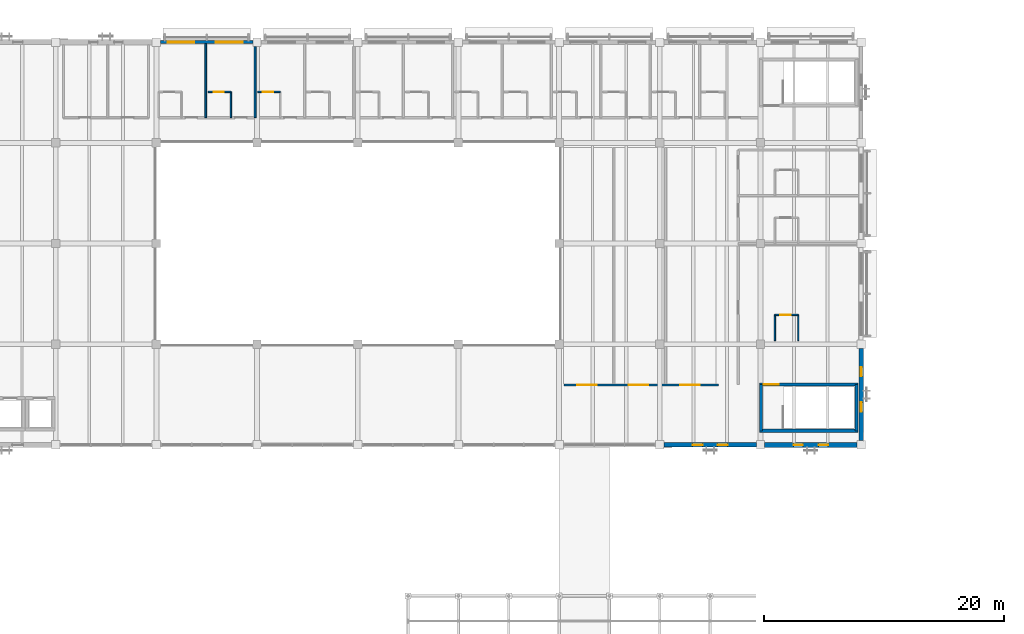
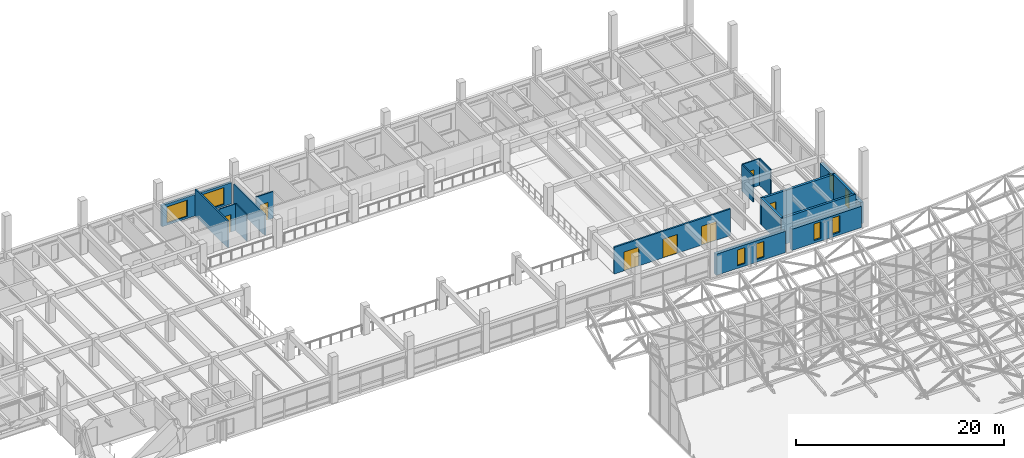
# One storey, part 93 of 123: 17 walls, 8 windows, 7 doors, 15 openings.
"""IFC4 building model written with IfcOpenShell, lengths in metres."""

from ifc_helpers import new_model, si_unit, direction, frame, frame_2d, origin, place, context, subcontext, project, spatial, rectangle, extrude, material, layer, layer_set, type_object, element, fill, save


model = new_model("IFC4")

# Units and contexts
model_context = context("Model", 3, precision=1e-05, world=origin(), true_north=direction((0.0, 1.0)))
body_context = subcontext(model_context, "Body", "Model", "MODEL_VIEW")
ifc_project = project(units=[si_unit("LENGTHUNIT", "METRE"), si_unit("AREAUNIT", "SQUARE_METRE"), si_unit("VOLUMEUNIT", "CUBIC_METRE"), si_unit("PLANEANGLEUNIT", "RADIAN"), si_unit("MASSUNIT", "GRAM", prefix="KILO")], contexts=[model_context])

# Site, building, storey
site_placement = place(None, origin())
site = spatial("IfcSite", under=ifc_project, at=site_placement, CompositionType="ELEMENT")
building_placement = place(site_placement, origin())
building = spatial("IfcBuilding", under=site, at=building_placement, Name="Cumbredor Promenade Congress Hotel", CompositionType="ELEMENT")
storey_placement = place(building_placement, frame((0.0, 0.0, 11.760009765625)))
storey = spatial("IfcBuildingStorey", under=building, at=storey_placement, Name="L03", CompositionType="ELEMENT", Elevation=11.760009765625)

# Wall, opening, door
ifc_material_1 = material(Name="Moisture-resistant gypsum board on steel studs", Category="steel")
ifc_layer_1 = layer(ifc_material_1, 0.114990234375, Name="Moisture-resistant gypsum board on steel studs", Category="steel")
ifc_layer_set_1 = layer_set([ifc_layer_1], Name="Moisture-resistant gypsum board on steel studs")
wall_type_1 = type_object("IfcWallType", Name="WL-BATH-115", PredefinedType="PARTITIONING", material=ifc_layer_set_1)
wall_1_placement = place(storey_placement, frame((121.919921875, 113.449951171875, 0.0), z_axis=(0.0, 0.0, 1.0), x_axis=(1.0, 0.0, 0.0)))
wall_1 = element("IfcWall", 1, at=wall_1_placement, inside=storey, type_object=wall_type_1, Name="L03 Interior Partition W-L03-FBH-F0302", PredefinedType="PARTITIONING", context=body_context, shape_type="SweptSolid", body=[
    extrude(rectangle(XDim=1.900146484375, YDim=0.114990234375, at=frame_2d((0.9501953125, 0.0))), origin(), (0.0, 0.0, 1.0), 3.125),
])
opening_1_placement = place(wall_1_placement, frame((0.449951171875, 0.0, 0.0)))
opening_1 = element("IfcOpeningElement", 2, at=opening_1_placement, cuts=wall_1, Name="Opening ID-01", PredefinedType="OPENING", context=body_context, shape_type="SweptSolid", body=[
    extrude(rectangle(XDim=0.860107421875, YDim=2.050048828125, at=frame_2d((0.43017578125, 1.02490234375))), frame((0.0, 0.0673828125, 0.0), z_axis=(0.0, -1.0, 0.0), x_axis=(1.0, 0.0, 0.0)), (0.0, 0.0, 1.0), 0.135009765625),
])
ifc_material_2 = material(Name="Kiln-dried tropical hardwood", Category="wood")
door_type_1 = type_object("IfcDoorType", Name="DR-BATH-860", OperationType="NOTDEFINED", PredefinedType="DOOR", material=ifc_material_2)
door_1_placement = place(opening_1_placement, origin())
door_1 = element("IfcDoor", 3, at=door_1_placement, inside=storey, type_object=door_type_1, Name="L03 Interior Door W-L03-FBH-F0302-01", OperationType="SINGLE_SWING_RIGHT", OverallHeight=2.050048828125, OverallWidth=0.860107421875, PredefinedType="DOOR", context=body_context, shape_type="SweptSolid", body=[
    extrude(rectangle(XDim=0.860107421875, YDim=2.050048828125, at=frame_2d((0.43017578125, 1.02490234375))), frame((0.0, 0.02490234375, 0.0), z_axis=(0.0, -1.0, 0.0), x_axis=(1.0, 0.0, 0.0)), (0.0, 0.0, 1.0), 0.050048828125),
])
fill(opening_1, door_1)

# Wall
wall_2_placement = place(storey_placement, frame((123.820068359375, 111.300048828125, 0.0), z_axis=(0.0, 0.0, 1.0), x_axis=(0.0, 1.0, 0.0)))
element("IfcWall", 4, at=wall_2_placement, inside=storey, type_object=wall_type_1, Name="L03 Interior Partition W-L03-FBV-F0302", PredefinedType="PARTITIONING", context=body_context, shape_type="SweptSolid", body=[
    extrude(rectangle(XDim=2.14990234375, YDim=0.114990234375, at=frame_2d((1.074951171875, 0.0))), origin(), (0.0, 0.0, 1.0), 3.125),
])

# Wall, opening, door
wall_3_placement = place(storey_placement, frame((126.0400390625, 113.449951171875, 0.0), z_axis=(0.0, 0.0, 1.0), x_axis=(1.0, 0.0, 0.0)))
wall_3 = element("IfcWall", 5, at=wall_3_placement, inside=storey, type_object=wall_type_1, Name="L03 Interior Partition W-L03-FBH-F0303", PredefinedType="PARTITIONING", context=body_context, shape_type="SweptSolid", body=[
    extrude(rectangle(XDim=1.89990234375, YDim=0.114990234375, at=frame_2d((0.949951171875, 0.0))), origin(), (0.0, 0.0, 1.0), 3.125),
])
opening_2_placement = place(wall_3_placement, frame((0.449951171875, 0.0, 0.0)))
opening_2 = element("IfcOpeningElement", 6, at=opening_2_placement, cuts=wall_3, Name="Opening ID-01", PredefinedType="OPENING", context=body_context, shape_type="SweptSolid", body=[
    extrude(rectangle(XDim=0.860107421875, YDim=2.050048828125, at=frame_2d((0.43017578125, 1.02490234375))), frame((0.0, 0.0673828125, 0.0), z_axis=(0.0, -1.0, 0.0), x_axis=(1.0, 0.0, 0.0)), (0.0, 0.0, 1.0), 0.135009765625),
])
door_2_placement = place(opening_2_placement, origin())
door_2 = element("IfcDoor", 7, at=door_2_placement, inside=storey, type_object=door_type_1, Name="L03 Interior Door W-L03-FBH-F0303-01", OperationType="SINGLE_SWING_LEFT", OverallHeight=2.050048828125, OverallWidth=0.860107421875, PredefinedType="DOOR", context=body_context, shape_type="SweptSolid", body=[
    extrude(rectangle(XDim=0.860107421875, YDim=2.050048828125, at=frame_2d((0.43017578125, 1.02490234375))), frame((0.0, 0.02490234375, 0.0), z_axis=(0.0, -1.0, 0.0), x_axis=(1.0, 0.0, 0.0)), (0.0, 0.0, 1.0), 0.050048828125),
])
fill(opening_2, door_2)

wall_4_placement = place(storey_placement, frame((169.199951171875, 94.85009765625, 0.0), z_axis=(0.0, 0.0, 1.0), x_axis=(1.0, 0.0, 0.0)))
wall_4 = element("IfcWall", 8, at=wall_4_placement, inside=storey, type_object=wall_type_1, Name="L03 Interior Partition W-L03-FEBH-E0301", PredefinedType="PARTITIONING", context=body_context, shape_type="SweptSolid", body=[
    extrude(rectangle(XDim=1.949951171875, YDim=0.114990234375, at=frame_2d((0.97509765625, 0.0))), origin(), (0.0, 0.0, 1.0), 3.125),
])
opening_3_placement = place(wall_4_placement, frame((0.449951171875, 0.0, 0.0)))
opening_3 = element("IfcOpeningElement", 9, at=opening_3_placement, cuts=wall_4, Name="Opening ID-01", PredefinedType="OPENING", context=body_context, shape_type="SweptSolid", body=[
    extrude(rectangle(XDim=0.860107421875, YDim=2.050048828125, at=frame_2d((0.43017578125, 1.02490234375))), frame((0.0, 0.0673828125, 0.0), z_axis=(0.0, -1.0, 0.0), x_axis=(1.0, 0.0, 0.0)), (0.0, 0.0, 1.0), 0.135009765625),
])
door_3_placement = place(opening_3_placement, origin())
door_3 = element("IfcDoor", 10, at=door_3_placement, inside=storey, type_object=door_type_1, Name="L03 Interior Door W-L03-FEBH-E0301-01", OperationType="SINGLE_SWING_LEFT", OverallHeight=2.050048828125, OverallWidth=0.860107421875, PredefinedType="DOOR", context=body_context, shape_type="SweptSolid", body=[
    extrude(rectangle(XDim=0.860107421875, YDim=2.050048828125, at=frame_2d((0.43017578125, 1.02490234375))), frame((0.0, 0.02490234375, 0.0), z_axis=(0.0, -1.0, 0.0), x_axis=(1.0, 0.0, 0.0)), (0.0, 0.0, 1.0), 0.050048828125),
])
fill(opening_3, door_3)

# Walls
for number, where, z_axis, x_axis, name in (
    (11, (169.199951171875, 92.699951171875, 0.0), (0.0, 0.0, 1.0), (0.0, 1.0, 0.0), "L03 Interior Partition W-L03-FEBV1-E0301"),
    (12, (171.14990234375, 92.699951171875, 0.0), (0.0, 0.0, 1.0), (0.0, 1.0, 0.0), "L03 Interior Partition W-L03-FEBV2-E0301"),
):
    element("IfcWall", number, at=place(storey_placement, frame(where, z_axis=z_axis, x_axis=x_axis)), inside=storey, type_object=wall_type_1, Name=name, PredefinedType="PARTITIONING", context=body_context, shape_type="SweptSolid", body=[
        extrude(rectangle(XDim=2.150146484375, YDim=0.114990234375, at=frame_2d((1.0751953125, 0.0))), origin(), (0.0, 0.0, 1.0), 3.125),
    ])

# Wall, openings, doors
ifc_material_3 = material(Name="Fire-rated hotel corridor wall")
ifc_layer_2 = layer(ifc_material_3, 0.179931640625, Name="Fire-rated hotel corridor wall")
ifc_layer_set_2 = layer_set([ifc_layer_2], Name="Fire-rated hotel corridor wall")
wall_type_2 = type_object("IfcWallType", Name="WL-CORR-180", PredefinedType="PARTITIONING", material=ifc_layer_set_2)
wall_5_placement = place(storey_placement, frame((151.60009765625, 89.0, 0.0), z_axis=(0.0, 0.0, 1.0), x_axis=(1.0, 0.0, 0.0)))
wall_5 = element("IfcWall", 13, at=wall_5_placement, inside=storey, type_object=wall_type_2, Name="L03 Interior Partition W-L03-V4-ES", PredefinedType="PARTITIONING", context=body_context, shape_type="SweptSolid", body=[
    extrude(rectangle(XDim=12.89990234375, YDim=0.179931640625, at=frame_2d((6.449951171875, 0.0))), origin(), (0.0, 0.0, 1.0), 3.125),
])
opening_4_placement = place(wall_5_placement, frame((1.10009765625, 0.0, 0.0)))
opening_4 = element("IfcOpeningElement", 14, at=opening_4_placement, cuts=wall_5, Name="Opening FD-08", PredefinedType="OPENING", context=body_context, shape_type="SweptSolid", body=[
    extrude(rectangle(XDim=1.6201171875, YDim=2.199951171875, at=frame_2d((0.81005859375, 1.10009765625))), frame((0.0, 0.10009765625, 0.0), z_axis=(0.0, -1.0, 0.0), x_axis=(1.0, 0.0, 0.0)), (0.0, 0.0, 1.0), 0.199951171875),
])
opening_5_placement = place(wall_5_placement, frame((5.39990234375, 0.0, 0.0)))
opening_5 = element("IfcOpeningElement", 15, at=opening_5_placement, cuts=wall_5, Name="Opening FD-08", PredefinedType="OPENING", context=body_context, shape_type="SweptSolid", body=[
    extrude(rectangle(XDim=1.6201171875, YDim=2.199951171875, at=frame_2d((0.81005859375, 1.10009765625))), frame((0.0, 0.10009765625, 0.0), z_axis=(0.0, -1.0, 0.0), x_axis=(1.0, 0.0, 0.0)), (0.0, 0.0, 1.0), 0.199951171875),
])
opening_6_placement = place(wall_5_placement, frame((9.699951171875, 0.0, 0.0)))
opening_6 = element("IfcOpeningElement", 16, at=opening_6_placement, cuts=wall_5, Name="Opening FD-08", PredefinedType="OPENING", context=body_context, shape_type="SweptSolid", body=[
    extrude(rectangle(XDim=1.6201171875, YDim=2.199951171875, at=frame_2d((0.81005859375, 1.10009765625))), frame((0.0, 0.10009765625, 0.0), z_axis=(0.0, -1.0, 0.0), x_axis=(1.0, 0.0, 0.0)), (0.0, 0.0, 1.0), 0.199951171875),
])
ifc_material_4 = material(Name="Solid-core fire-rated tropical hardwood", Category="wood")
door_type_2 = type_object("IfcDoorType", Name="DR-DBL-FD60-1600", OperationType="DOUBLE_DOOR_SINGLE_SWING", PredefinedType="DOOR", material=ifc_material_4)
door_4_placement = place(opening_4_placement, origin())
door_4 = element("IfcDoor", 17, at=door_4_placement, inside=storey, type_object=door_type_2, Name="L03 Interior Door W-L03-V4-ES-01", OperationType="DOUBLE_DOOR_SINGLE_SWING", OverallHeight=2.199951171875, OverallWidth=1.6201171875, PredefinedType="DOOR", context=body_context, shape_type="SweptSolid", body=[
    extrude(rectangle(XDim=1.6201171875, YDim=2.199951171875, at=frame_2d((0.81005859375, 1.10009765625))), frame((0.0, 0.02490234375, 0.0), z_axis=(0.0, -1.0, 0.0), x_axis=(1.0, 0.0, 0.0)), (0.0, 0.0, 1.0), 0.050048828125),
])
fill(opening_4, door_4)
door_5_placement = place(opening_5_placement, origin())
door_5 = element("IfcDoor", 18, at=door_5_placement, inside=storey, type_object=door_type_2, Name="L03 Interior Door W-L03-V4-ES-02", OperationType="DOUBLE_DOOR_SINGLE_SWING", OverallHeight=2.199951171875, OverallWidth=1.6201171875, PredefinedType="DOOR", context=body_context, shape_type="SweptSolid", body=[
    extrude(rectangle(XDim=1.6201171875, YDim=2.199951171875, at=frame_2d((0.81005859375, 1.10009765625))), frame((0.0, 0.02490234375, 0.0), z_axis=(0.0, -1.0, 0.0), x_axis=(1.0, 0.0, 0.0)), (0.0, 0.0, 1.0), 0.050048828125),
])
fill(opening_5, door_5)
door_6_placement = place(opening_6_placement, origin())
door_6 = element("IfcDoor", 19, at=door_6_placement, inside=storey, type_object=door_type_2, Name="L03 Interior Door W-L03-V4-ES-03", OperationType="DOUBLE_DOOR_SINGLE_SWING", OverallHeight=2.199951171875, OverallWidth=1.6201171875, PredefinedType="DOOR", context=body_context, shape_type="SweptSolid", body=[
    extrude(rectangle(XDim=1.6201171875, YDim=2.199951171875, at=frame_2d((0.81005859375, 1.10009765625))), frame((0.0, 0.02490234375, 0.0), z_axis=(0.0, -1.0, 0.0), x_axis=(1.0, 0.0, 0.0)), (0.0, 0.0, 1.0), 0.050048828125),
])
fill(opening_6, door_6)

# Wall, openings, windows
ifc_material_5 = material(Name="Concrete C40/50", Category="concrete")
ifc_layer_3 = layer(ifc_material_5, 0.260009765625, Name="Concrete C40/50", Category="concrete")
ifc_layer_set_3 = layer_set([ifc_layer_3], Name="Concrete C40/50")
wall_type_3 = type_object("IfcWallType", Name="WL-EXT-260", PredefinedType="SOLIDWALL", material=ifc_layer_set_3)
wall_6_placement = place(storey_placement, frame((117.950927734375, 117.60009765625, 0.0), z_axis=(0.0, 0.0, 1.0), x_axis=(1.0, 0.0, 0.0)))
wall_6 = element("IfcWall", 20, at=wall_6_placement, inside=storey, type_object=wall_type_3, Name="L03 Pre-Function and Breakout Meeting Forum North Envelope Wall 4", PredefinedType="SOLIDWALL", context=body_context, shape_type="SweptSolid", body=[
    extrude(rectangle(XDim=7.697998046875, YDim=0.260009765625, at=frame_2d((3.84912109375, 0.0))), origin(), (0.0, 0.0, 1.0), 2.493896484375),
])
opening_7_placement = place(wall_6_placement, frame((0.589111328125, 0.0, 0.25)))
opening_7 = element("IfcOpeningElement", 21, at=opening_7_placement, cuts=wall_6, Name="Opening WN-35", PredefinedType="OPENING", context=body_context, shape_type="SweptSolid", body=[
    extrude(rectangle(XDim=2.219970703125, YDim=1.89990234375, at=frame_2d((1.10986328125, 0.949951171875))), frame((0.0, 0.14013671875, 0.0), z_axis=(0.0, -1.0, 0.0), x_axis=(1.0, 0.0, 0.0)), (0.0, 0.0, 1.0), 0.280029296875),
])
opening_8_placement = place(wall_6_placement, frame((4.6240234375, 0.0, 0.25)))
opening_8 = element("IfcOpeningElement", 22, at=opening_8_placement, cuts=wall_6, Name="Opening WN-07", PredefinedType="OPENING", context=body_context, shape_type="SweptSolid", body=[
    extrude(rectangle(XDim=2.25, YDim=1.949951171875, at=frame_2d((1.125, 0.97509765625))), frame((0.0, 0.14013671875, 0.0), z_axis=(0.0, -1.0, 0.0), x_axis=(1.0, 0.0, 0.0)), (0.0, 0.0, 1.0), 0.280029296875),
])
ifc_material_6 = material(Name="Thermally broken anodized aluminium and low-E glass", Category="aluminium")
window_type_1 = type_object("IfcWindowType", Name="Hospitality Floor-to-Ceiling Window WN-07 2250x1950", PartitioningType="DOUBLE_PANEL_VERTICAL", PredefinedType="WINDOW", material=ifc_material_6)
window_1_placement = place(opening_8_placement, origin())
window_1 = element("IfcWindow", 23, at=window_1_placement, inside=storey, type_object=window_type_1, Name="L03 Wide Hospitality Window 0377", OverallHeight=1.949951171875, OverallWidth=2.25, PartitioningType="DOUBLE_PANEL_VERTICAL", PredefinedType="WINDOW", context=body_context, shape_type="SweptSolid", body=[
    extrude(rectangle(XDim=2.25, YDim=1.949951171875, at=frame_2d((1.125, 0.97509765625))), frame((0.0, 0.030029296875, 0.0), z_axis=(0.0, -1.0, 0.0), x_axis=(1.0, 0.0, 0.0)), (0.0, 0.0, 1.0), 0.06005859375),
])
fill(opening_8, window_1)
window_type_2 = type_object("IfcWindowType", Name="Hospitality Floor-to-Ceiling Window WN-35 2220x1900", PartitioningType="DOUBLE_PANEL_VERTICAL", PredefinedType="WINDOW", material=ifc_material_6)
window_2_placement = place(opening_7_placement, origin())
window_2 = element("IfcWindow", 24, at=window_2_placement, inside=storey, type_object=window_type_2, Name="L03 Wide Hospitality Window 0376", OverallHeight=1.89990234375, OverallWidth=2.219970703125, PartitioningType="DOUBLE_PANEL_VERTICAL", PredefinedType="WINDOW", context=body_context, shape_type="SweptSolid", body=[
    extrude(rectangle(XDim=2.219970703125, YDim=1.89990234375, at=frame_2d((1.10986328125, 0.949951171875))), frame((0.0, 0.030029296875, 0.0), z_axis=(0.0, -1.0, 0.0), x_axis=(1.0, 0.0, 0.0)), (0.0, 0.0, 1.0), 0.06005859375),
])
fill(opening_7, window_2)

ifc_layer_4 = layer(ifc_material_5, 0.3798828125, Name="Concrete C40/50", Category="concrete")
ifc_layer_set_4 = layer_set([ifc_layer_4], Name="Concrete C40/50")
wall_type_4 = type_object("IfcWallType", Name="WL-EXT-380", PredefinedType="SOLIDWALL", material=ifc_layer_set_4)
wall_7_placement = place(storey_placement, frame((159.950927734375, 84.0, 0.0), z_axis=(0.0, 0.0, 1.0), x_axis=(1.0, 0.0, 0.0)))
wall_7 = element("IfcWall", 25, at=wall_7_placement, inside=storey, type_object=wall_type_4, Name="L03 Pre-Function and Breakout Meeting Forum South Envelope Wall 9", PredefinedType="SOLIDWALL", context=body_context, shape_type="SweptSolid", body=[
    extrude(rectangle(XDim=7.697998046875, YDim=0.3798828125, at=frame_2d((3.84912109375, 0.0))), origin(), (0.0, 0.0, 1.0), 2.493896484375),
])
opening_9_placement = place(wall_7_placement, frame((2.37890625, 0.0, 0.300048828125)))
opening_9 = element("IfcOpeningElement", 26, at=opening_9_placement, cuts=wall_7, Name="Opening WN-47", PredefinedType="OPENING", context=body_context, shape_type="SweptSolid", body=[
    extrude(rectangle(XDim=0.840087890625, YDim=1.85009765625, at=frame_2d((0.419921875, 0.925048828125))), frame((0.0, 0.199951171875, 0.0), z_axis=(0.0, -1.0, 0.0), x_axis=(1.0, 0.0, 0.0)), (0.0, 0.0, 1.0), 0.39990234375),
])
opening_10_placement = place(wall_7_placement, frame((4.47900390625, 0.0, 0.300048828125)))
opening_10 = element("IfcOpeningElement", 27, at=opening_10_placement, cuts=wall_7, Name="Opening WN-47", PredefinedType="OPENING", context=body_context, shape_type="SweptSolid", body=[
    extrude(rectangle(XDim=0.840087890625, YDim=1.85009765625, at=frame_2d((0.419921875, 0.925048828125))), frame((0.0, 0.199951171875, 0.0), z_axis=(0.0, -1.0, 0.0), x_axis=(1.0, 0.0, 0.0)), (0.0, 0.0, 1.0), 0.39990234375),
])
window_type_3 = type_object("IfcWindowType", Name="Vertical Slot Window WN-47 840x1850", PartitioningType="SINGLE_PANEL", PredefinedType="WINDOW", material=ifc_material_6)
window_3_placement = place(opening_9_placement, origin())
window_3 = element("IfcWindow", 28, at=window_3_placement, inside=storey, type_object=window_type_3, Name="L03 Vertical Slot Window 0366", OverallHeight=1.85009765625, OverallWidth=0.840087890625, PartitioningType="SINGLE_PANEL", PredefinedType="WINDOW", context=body_context, shape_type="SweptSolid", body=[
    extrude(rectangle(XDim=0.840087890625, YDim=1.85009765625, at=frame_2d((0.419921875, 0.925048828125))), frame((0.0, 0.030029296875, 0.0), z_axis=(0.0, -1.0, 0.0), x_axis=(1.0, 0.0, 0.0)), (0.0, 0.0, 1.0), 0.06005859375),
])
fill(opening_9, window_3)
window_4_placement = place(opening_10_placement, origin())
window_4 = element("IfcWindow", 29, at=window_4_placement, inside=storey, type_object=window_type_3, Name="L03 Vertical Slot Window 0367", OverallHeight=1.85009765625, OverallWidth=0.840087890625, PartitioningType="SINGLE_PANEL", PredefinedType="WINDOW", context=body_context, shape_type="SweptSolid", body=[
    extrude(rectangle(XDim=0.840087890625, YDim=1.85009765625, at=frame_2d((0.419921875, 0.925048828125))), frame((0.0, 0.030029296875, 0.0), z_axis=(0.0, -1.0, 0.0), x_axis=(1.0, 0.0, 0.0)), (0.0, 0.0, 1.0), 0.06005859375),
])
fill(opening_10, window_4)

wall_8_placement = place(storey_placement, frame((176.39990234375, 84.35107421875, 0.0), z_axis=(0.0, 0.0, 1.0), x_axis=(0.0, 1.0, 0.0)))
wall_8 = element("IfcWall", 30, at=wall_8_placement, inside=storey, type_object=wall_type_4, Name="L03 Pre-Function and Breakout Meeting Forum East Envelope Wall 1", PredefinedType="SOLIDWALL", context=body_context, shape_type="SweptSolid", body=[
    extrude(rectangle(XDim=7.697998046875, YDim=0.3798828125, at=frame_2d((3.84912109375, 0.0))), origin(), (0.0, 0.0, 1.0), 2.493896484375),
])
opening_11_placement = place(wall_8_placement, frame((2.408935546875, 0.0, 0.300048828125)))
opening_11 = element("IfcOpeningElement", 31, at=opening_11_placement, cuts=wall_8, Name="Opening WN-50", PredefinedType="OPENING", context=body_context, shape_type="SweptSolid", body=[
    extrude(rectangle(XDim=0.780029296875, YDim=1.949951171875, at=frame_2d((0.39013671875, 0.97509765625))), frame((0.0, 0.199951171875, 0.0), z_axis=(0.0, -1.0, 0.0), x_axis=(1.0, 0.0, 0.0)), (0.0, 0.0, 1.0), 0.39990234375),
])
opening_12_placement = place(wall_8_placement, frame((5.35888671875, 0.0, 0.300048828125)))
opening_12 = element("IfcOpeningElement", 32, at=opening_12_placement, cuts=wall_8, Name="Opening WN-50", PredefinedType="OPENING", context=body_context, shape_type="SweptSolid", body=[
    extrude(rectangle(XDim=0.780029296875, YDim=1.949951171875, at=frame_2d((0.39013671875, 0.97509765625))), frame((0.0, 0.199951171875, 0.0), z_axis=(0.0, -1.0, 0.0), x_axis=(1.0, 0.0, 0.0)), (0.0, 0.0, 1.0), 0.39990234375),
])
window_type_4 = type_object("IfcWindowType", Name="Vertical Slot Window WN-50 780x1950", PartitioningType="SINGLE_PANEL", PredefinedType="WINDOW", material=ifc_material_6)
window_5_placement = place(opening_11_placement, origin())
window_5 = element("IfcWindow", 33, at=window_5_placement, inside=storey, type_object=window_type_4, Name="L03 Vertical Slot Window 0394", OverallHeight=1.949951171875, OverallWidth=0.780029296875, PartitioningType="SINGLE_PANEL", PredefinedType="WINDOW", context=body_context, shape_type="SweptSolid", body=[
    extrude(rectangle(XDim=0.780029296875, YDim=1.949951171875, at=frame_2d((0.39013671875, 0.97509765625))), frame((0.0, 0.030029296875, 0.0), z_axis=(0.0, -1.0, 0.0), x_axis=(1.0, 0.0, 0.0)), (0.0, 0.0, 1.0), 0.06005859375),
])
fill(opening_11, window_5)
window_6_placement = place(opening_12_placement, origin())
window_6 = element("IfcWindow", 34, at=window_6_placement, inside=storey, type_object=window_type_4, Name="L03 Vertical Slot Window 0395", OverallHeight=1.949951171875, OverallWidth=0.780029296875, PartitioningType="SINGLE_PANEL", PredefinedType="WINDOW", context=body_context, shape_type="SweptSolid", body=[
    extrude(rectangle(XDim=0.780029296875, YDim=1.949951171875, at=frame_2d((0.39013671875, 0.97509765625))), frame((0.0, 0.030029296875, 0.0), z_axis=(0.0, -1.0, 0.0), x_axis=(1.0, 0.0, 0.0)), (0.0, 0.0, 1.0), 0.06005859375),
])
fill(opening_12, window_6)

ifc_layer_5 = layer(ifc_material_5, 0.425048828125, Name="Concrete C40/50", Category="concrete")
ifc_layer_set_5 = layer_set([ifc_layer_5], Name="Concrete C40/50")
wall_type_5 = type_object("IfcWallType", Name="WL-EXT-425", PredefinedType="SOLIDWALL", material=ifc_layer_set_5)
wall_9_placement = place(storey_placement, frame((168.35107421875, 84.0, 0.0), z_axis=(0.0, 0.0, 1.0), x_axis=(1.0, 0.0, 0.0)))
wall_9 = element("IfcWall", 35, at=wall_9_placement, inside=storey, type_object=wall_type_5, Name="L03 Pre-Function and Breakout Meeting Forum South Envelope Wall 10", PredefinedType="SOLIDWALL", context=body_context, shape_type="SweptSolid", body=[
    extrude(rectangle(XDim=7.697998046875, YDim=0.425048828125, at=frame_2d((3.84912109375, 0.0))), origin(), (0.0, 0.0, 1.0), 2.493896484375),
])
opening_13_placement = place(wall_9_placement, frame((2.408935546875, 0.0, 0.300048828125)))
opening_13 = element("IfcOpeningElement", 36, at=opening_13_placement, cuts=wall_9, Name="Opening WN-50", PredefinedType="OPENING", context=body_context, shape_type="SweptSolid", body=[
    extrude(rectangle(XDim=0.780029296875, YDim=1.949951171875, at=frame_2d((0.39013671875, 0.97509765625))), frame((0.0, 0.22265625, 0.0), z_axis=(0.0, -1.0, 0.0), x_axis=(1.0, 0.0, 0.0)), (0.0, 0.0, 1.0), 0.445068359375),
])
opening_14_placement = place(wall_9_placement, frame((4.509033203125, 0.0, 0.300048828125)))
opening_14 = element("IfcOpeningElement", 37, at=opening_14_placement, cuts=wall_9, Name="Opening WN-50", PredefinedType="OPENING", context=body_context, shape_type="SweptSolid", body=[
    extrude(rectangle(XDim=0.780029296875, YDim=1.949951171875, at=frame_2d((0.39013671875, 0.97509765625))), frame((0.0, 0.22265625, 0.0), z_axis=(0.0, -1.0, 0.0), x_axis=(1.0, 0.0, 0.0)), (0.0, 0.0, 1.0), 0.445068359375),
])
window_7_placement = place(opening_13_placement, origin())
window_7 = element("IfcWindow", 38, at=window_7_placement, inside=storey, type_object=window_type_4, Name="L03 Vertical Slot Window 0368", OverallHeight=1.949951171875, OverallWidth=0.780029296875, PartitioningType="SINGLE_PANEL", PredefinedType="WINDOW", context=body_context, shape_type="SweptSolid", body=[
    extrude(rectangle(XDim=0.780029296875, YDim=1.949951171875, at=frame_2d((0.39013671875, 0.97509765625))), frame((0.0, 0.030029296875, 0.0), z_axis=(0.0, -1.0, 0.0), x_axis=(1.0, 0.0, 0.0)), (0.0, 0.0, 1.0), 0.06005859375),
])
fill(opening_13, window_7)
window_8_placement = place(opening_14_placement, origin())
window_8 = element("IfcWindow", 39, at=window_8_placement, inside=storey, type_object=window_type_4, Name="L03 Vertical Slot Window 0369", OverallHeight=1.949951171875, OverallWidth=0.780029296875, PartitioningType="SINGLE_PANEL", PredefinedType="WINDOW", context=body_context, shape_type="SweptSolid", body=[
    extrude(rectangle(XDim=0.780029296875, YDim=1.949951171875, at=frame_2d((0.39013671875, 0.97509765625))), frame((0.0, 0.030029296875, 0.0), z_axis=(0.0, -1.0, 0.0), x_axis=(1.0, 0.0, 0.0)), (0.0, 0.0, 1.0), 0.06005859375),
])
fill(opening_14, window_8)

# Wall
ifc_layer_6 = layer(ifc_material_5, 0.2548828125, Name="Concrete C40/50", Category="concrete")
ifc_layer_set_6 = layer_set([ifc_layer_6], Name="Concrete C40/50")
wall_type_6 = type_object("IfcWallType", Name="WL-SHAFT-250", PredefinedType="SOLIDWALL", material=ifc_layer_set_6)
wall_10_placement = place(storey_placement, frame((167.922607421875, 85.179931640625, 0.0), z_axis=(0.0, 0.0, 1.0), x_axis=(1.0, 0.0, 0.0)))
element("IfcWall", 40, at=wall_10_placement, inside=storey, type_object=wall_type_6, Name="STAIR-ST-14-L03 Shaft Wall South", PredefinedType="SOLIDWALL", context=body_context, shape_type="SweptSolid", body=[
    extrude(rectangle(XDim=8.224853515625, YDim=0.2548828125, at=frame_2d((4.1123046875, 0.0))), origin(), (0.0, 0.0, 1.0), 3.125),
])

# Wall, opening, door
wall_11_placement = place(storey_placement, frame((167.922607421875, 89.050048828125, 0.0), z_axis=(0.0, 0.0, 1.0), x_axis=(1.0, 0.0, 0.0)))
wall_11 = element("IfcWall", 41, at=wall_11_placement, inside=storey, type_object=wall_type_6, Name="STAIR-ST-14-L03 Shaft Wall North", PredefinedType="SOLIDWALL", context=body_context, shape_type="SweptSolid", body=[
    extrude(rectangle(XDim=8.224853515625, YDim=0.2548828125, at=frame_2d((4.1123046875, 0.0))), origin(), (0.0, 0.0, 1.0), 3.125),
])
opening_15_placement = place(wall_11_placement, frame((0.35009765625, 0.0, 0.0)))
opening_15 = element("IfcOpeningElement", 42, at=opening_15_placement, cuts=wall_11, Name="Opening SD-02", PredefinedType="OPENING", context=body_context, shape_type="SweptSolid", body=[
    extrude(rectangle(XDim=1.25, YDim=2.199951171875, at=frame_2d((0.625, 1.10009765625))), frame((0.0, 0.137451171875, 0.0), z_axis=(0.0, -1.0, 0.0), x_axis=(1.0, 0.0, 0.0)), (0.0, 0.0, 1.0), 0.27490234375),
])
ifc_material_7 = material(Name="Painted galvanized steel fire door", Category="steel")
door_type_3 = type_object("IfcDoorType", Name="DR-STAIR-FD90-1250", OperationType="NOTDEFINED", PredefinedType="DOOR", material=ifc_material_7)
door_7_placement = place(opening_15_placement, origin())
door_7 = element("IfcDoor", 43, at=door_7_placement, inside=storey, type_object=door_type_3, Name="L03 Protected Exit Stair ST-14 Door", OperationType="SINGLE_SWING_LEFT", OverallHeight=2.199951171875, OverallWidth=1.25, PredefinedType="DOOR", context=body_context, shape_type="SweptSolid", body=[
    extrude(rectangle(XDim=1.25, YDim=2.199951171875, at=frame_2d((0.625, 1.10009765625))), frame((0.0, 0.02490234375, 0.0), z_axis=(0.0, -1.0, 0.0), x_axis=(1.0, 0.0, 0.0)), (0.0, 0.0, 1.0), 0.050048828125),
])
fill(opening_15, door_7)

# Walls
for number, where, z_axis, x_axis, name in (
    (44, (168.050048828125, 85.179931640625, 0.0), (0.0, 0.0, 1.0), (0.0, 1.0, 0.0), "STAIR-ST-14-L03 Shaft Wall West"),
    (45, (176.02001953125, 85.179931640625, 0.0), (0.0, 0.0, 1.0), (0.0, 1.0, 0.0), "STAIR-ST-14-L03 Shaft Wall East"),
):
    element("IfcWall", number, at=place(storey_placement, frame(where, z_axis=z_axis, x_axis=x_axis)), inside=storey, type_object=wall_type_6, Name=name, PredefinedType="SOLIDWALL", context=body_context, shape_type="SweptSolid", body=[
        extrude(rectangle(XDim=3.8701171875, YDim=0.2548828125, at=frame_2d((1.93505859375, 0.0))), origin(), (0.0, 0.0, 1.0), 3.125),
    ])
ifc_material_8 = material(Name="Fire-rated acoustic double-stud partition")
ifc_layer_7 = layer(ifc_material_8, 0.1650390625, Name="Fire-rated acoustic double-stud partition")
ifc_layer_set_7 = layer_set([ifc_layer_7], Name="Fire-rated acoustic double-stud partition")
wall_type_7 = type_object("IfcWallType", Name="WL-UNIT-165", PredefinedType="PARTITIONING", material=ifc_layer_set_7)
wall_12_placement = place(storey_placement, frame((121.719970703125, 111.300048828125, 0.0), z_axis=(0.0, 0.0, 1.0), x_axis=(0.0, 1.0, 0.0)))
element("IfcWall", 46, at=wall_12_placement, inside=storey, type_object=wall_type_7, Name="L03 Interior Partition W-L03-FDIV-1", PredefinedType="PARTITIONING", context=body_context, shape_type="SweptSolid", body=[
    extrude(rectangle(XDim=6.169921875, YDim=0.1650390625, at=frame_2d((3.0849609375, 0.0))), origin(), (0.0, 0.0, 1.0), 3.125),
])
wall_13_placement = place(storey_placement, frame((125.840087890625, 111.300048828125, 0.0), z_axis=(0.0, 0.0, 1.0), x_axis=(0.0, 1.0, 0.0)))
element("IfcWall", 47, at=wall_13_placement, inside=storey, type_object=wall_type_7, Name="L03 Interior Partition W-L03-FDIV-2", PredefinedType="PARTITIONING", context=body_context, shape_type="SweptSolid", body=[
    extrude(rectangle(XDim=5.919921875, YDim=0.1650390625, at=frame_2d((2.9599609375, 0.0))), origin(), (0.0, 0.0, 1.0), 2.455078125),
])

save(model, "model.ifc")
